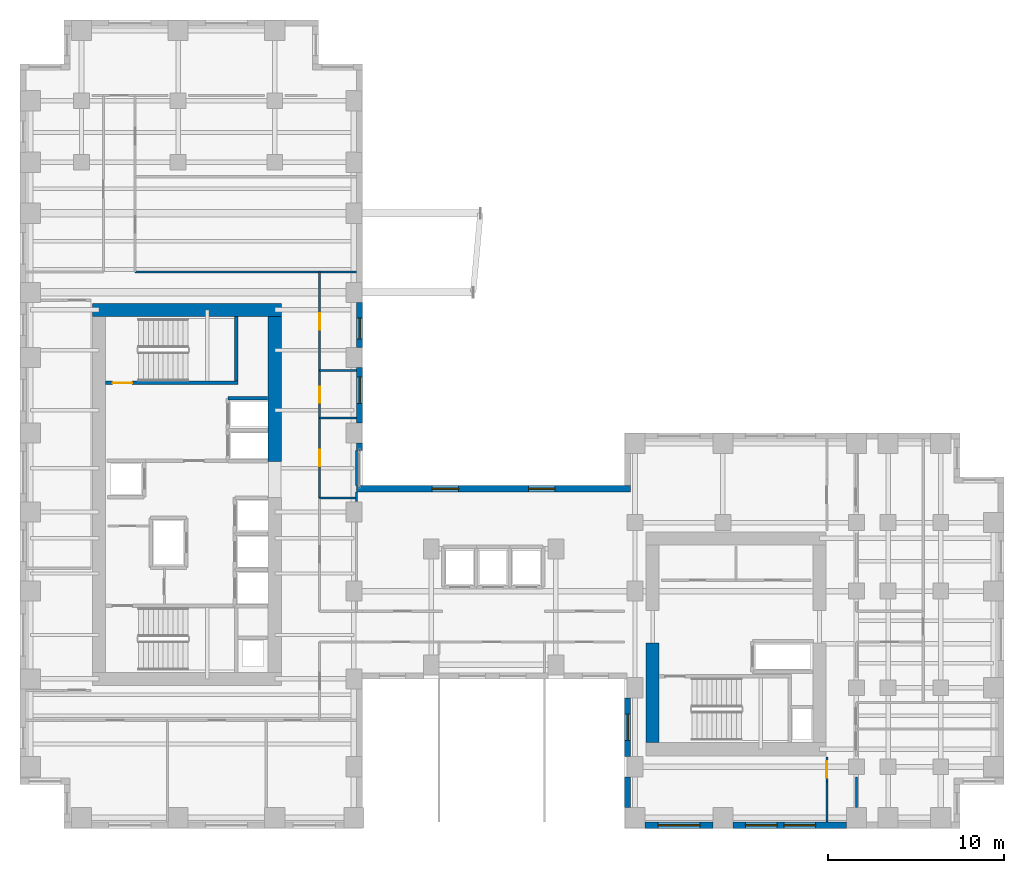
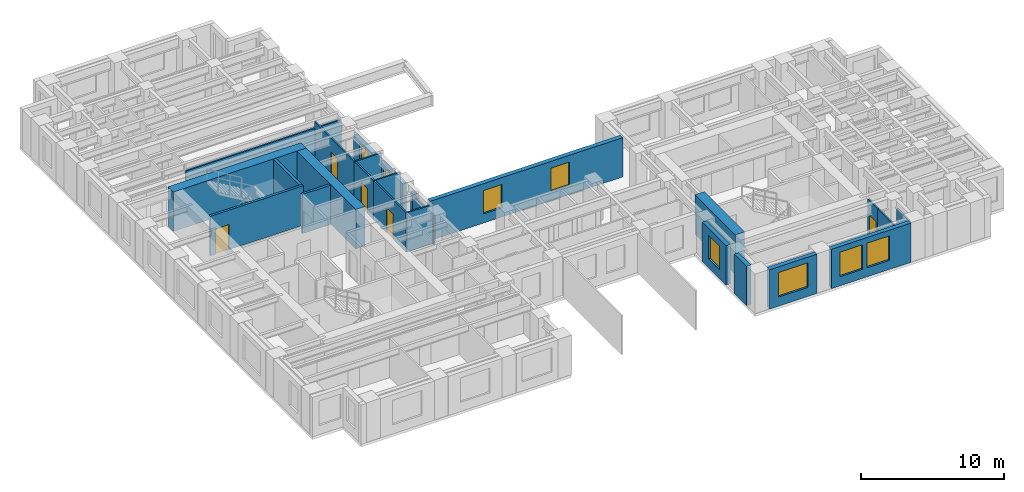
# One storey, part 8 of 13: 26 walls, 8 windows, 5 doors, 13 openings.
"""IFC4 building model written with IfcOpenShell, lengths in metres."""

from ifc_helpers import new_model, si_unit, direction, frame, frame_2d, origin, place, context, subcontext, project, spatial, rectangle, extrude, source, transform, mapped, material, layer, layer_set, type_object, element, fill, save


model = new_model("IFC4")

# Units and contexts
model_context = context("Model", 3, precision=1e-05, world=origin(), true_north=direction((0.0, 1.0)))
body_context = subcontext(model_context, "Body", "Model", "MODEL_VIEW")
ifc_project = project(units=[si_unit("LENGTHUNIT", "METRE"), si_unit("AREAUNIT", "SQUARE_METRE"), si_unit("VOLUMEUNIT", "CUBIC_METRE"), si_unit("PLANEANGLEUNIT", "RADIAN"), si_unit("MASSUNIT", "GRAM", prefix="KILO")], contexts=[model_context])

# Site, building, storey
site_placement = place(None, origin())
site = spatial("IfcSite", under=ifc_project, at=site_placement, CompositionType="ELEMENT")
building_placement = place(site_placement, origin())
building = spatial("IfcBuilding", under=site, at=building_placement, Name="Kharzan Plaza Tower", CompositionType="ELEMENT")
storey_placement = place(building_placement, frame((0.0, 0.0, 95.39990234375)))
storey = spatial("IfcBuildingStorey", under=building, at=storey_placement, Name="L25", CompositionType="ELEMENT", Elevation=95.39990234375)

# Wall, opening, window
ifc_material_1 = material(Name="Concrete C40/50", Category="concrete")
ifc_layer_1 = layer(ifc_material_1, 0.35009765625)
ifc_layer_set_1 = layer_set([ifc_layer_1], Name="Concrete C40/50")
wall_type_1 = type_object("IfcWallType", Name="WL-EXT-MAS-Z2", PredefinedType="SOLIDWALL", material=ifc_layer_set_1)
wall_1_placement = place(storey_placement, frame((19.324951171875, 23.072998046875, 0.0), z_axis=(0.0, 0.0, 1.0), x_axis=(0.0, 1.0, 0.0)))
wall_1 = element("IfcWall", 1, at=wall_1_placement, inside=storey, type_object=wall_type_1, Name="L25 Masonry-Frame Exterior Wall 02", PredefinedType="SOLIDWALL", context=body_context, shape_type="SweptSolid", body=[
    extrude(rectangle(XDim=3.154052734375, YDim=0.35009765625, at=frame_2d((1.5771484375, 0.0))), origin(), (0.0, 0.0, 1.0), 2.51904296875),
])
opening_1_placement = place(wall_1_placement, frame((1.10546875, 0.0, 0.780029296875)))
opening_1 = element("IfcOpeningElement", 2, at=opening_1_placement, cuts=wall_1, Name="Opening W5", PredefinedType="OPENING", context=body_context, shape_type="SweptSolid", body=[
    extrude(rectangle(XDim=1.5, YDim=1.55908203125, at=frame_2d((0.75, 0.779541015625))), frame((0.0, 0.18505859375, 0.0), z_axis=(0.0, -1.0, 0.0), x_axis=(1.0, 0.0, 0.0)), (0.0, 0.0, 1.0), 0.3701171875),
])
ifc_material_2 = material(Name="Low-E Double Glazing", Category="glass")
window_type_1 = type_object("IfcWindowType", Name="WN-SLT-1500x2000", PartitioningType="SINGLE_PANEL", PredefinedType="WINDOW", material=ifc_material_2)
shared_shape_1 = source(origin(), body_context, "Body", "SweptSolid", [
    extrude(rectangle(XDim=1.5, YDim=1.55908203125, at=frame_2d((0.75, 0.779541015625))), frame((0.0, 0.030029296875, 0.0), z_axis=(0.0, -1.0, 0.0), x_axis=(1.0, 0.0, 0.0)), (0.0, 0.0, 1.0), 0.06005859375),
])
window_1_placement = place(opening_1_placement, origin())
window_1 = element("IfcWindow", 3, at=window_1_placement, inside=storey, type_object=window_type_1, Name="L25 Recessed Solar-Control Window 02-1", OverallHeight=1.55908203125, OverallWidth=1.5, PartitioningType="SINGLE_PANEL", PredefinedType="WINDOW", context=body_context, shape_type="MappedRepresentation", body=[
    mapped(shared_shape_1, transform((0.0, 0.0, 0.0), x_axis=(1.0, 0.0, 0.0), y_axis=(0.0, 1.0, 0.0), z_axis=(0.0, 0.0, 1.0))),
])
fill(opening_1, window_1)

wall_2_placement = place(storey_placement, frame((19.324951171875, 27.373046875, 0.0), z_axis=(0.0, 0.0, 1.0), x_axis=(0.0, 1.0, 0.0)))
wall_2 = element("IfcWall", 4, at=wall_2_placement, inside=storey, type_object=wall_type_1, Name="L25 Masonry-Frame Exterior Wall 03", PredefinedType="SOLIDWALL", context=body_context, shape_type="SweptSolid", body=[
    extrude(rectangle(XDim=2.553955078125, YDim=0.35009765625, at=frame_2d((1.27685546875, 0.0))), origin(), (0.0, 0.0, 1.0), 2.51904296875),
])
opening_2_placement = place(wall_2_placement, frame((0.47998046875, 0.0, 0.780029296875)))
opening_2 = element("IfcOpeningElement", 5, at=opening_2_placement, cuts=wall_2, Name="Opening W3", PredefinedType="OPENING", context=body_context, shape_type="SweptSolid", body=[
    extrude(rectangle(XDim=1.199951171875, YDim=1.55908203125, at=frame_2d((0.60009765625, 0.779541015625))), frame((0.0, 0.18505859375, 0.0), z_axis=(0.0, -1.0, 0.0), x_axis=(1.0, 0.0, 0.0)), (0.0, 0.0, 1.0), 0.3701171875),
])
window_type_2 = type_object("IfcWindowType", Name="WN-REC-1200x2100", PartitioningType="SINGLE_PANEL", PredefinedType="WINDOW", material=ifc_material_2)
shared_shape_2 = source(origin(), body_context, "Body", "SweptSolid", [
    extrude(rectangle(XDim=1.199951171875, YDim=1.55908203125, at=frame_2d((0.60009765625, 0.779541015625))), frame((0.0, 0.030029296875, 0.0), z_axis=(0.0, -1.0, 0.0), x_axis=(1.0, 0.0, 0.0)), (0.0, 0.0, 1.0), 0.06005859375),
])
window_2_placement = place(opening_2_placement, origin())
window_2 = element("IfcWindow", 6, at=window_2_placement, inside=storey, type_object=window_type_2, Name="L25 Recessed Solar-Control Window 03-1", OverallHeight=1.55908203125, OverallWidth=1.199951171875, PartitioningType="SINGLE_PANEL", PredefinedType="WINDOW", context=body_context, shape_type="MappedRepresentation", body=[
    mapped(shared_shape_2, transform((0.0, 0.0, 0.0), x_axis=(1.0, 0.0, 0.0), y_axis=(0.0, 1.0, 0.0), z_axis=(0.0, 0.0, 1.0))),
])
fill(opening_2, window_2)

wall_3_placement = place(storey_placement, frame((34.574951171875, 7.427001953125, 0.0), z_axis=(0.0, 0.0, 1.0), x_axis=(0.0, -1.0, 0.0)))
wall_3 = element("IfcWall", 7, at=wall_3_placement, inside=storey, type_object=wall_type_1, Name="L25 Masonry-Frame Exterior Wall 37", PredefinedType="SOLIDWALL", context=body_context, shape_type="SweptSolid", body=[
    extrude(rectangle(XDim=3.35400390625, YDim=0.35009765625, at=frame_2d((1.677001953125, 0.0))), origin(), (0.0, 0.0, 1.0), 3.364990234375),
])
opening_3_placement = place(wall_3_placement, frame((0.927001953125, 0.0, 0.780029296875)))
opening_3 = element("IfcOpeningElement", 8, at=opening_3_placement, cuts=wall_3, Name="Opening W5", PredefinedType="OPENING", context=body_context, shape_type="SweptSolid", body=[
    extrude(rectangle(XDim=1.5, YDim=2.0, at=frame_2d((0.75, 1.0))), frame((0.0, 0.18505859375, 0.0), z_axis=(0.0, -1.0, 0.0), x_axis=(1.0, 0.0, 0.0)), (0.0, 0.0, 1.0), 0.3701171875),
])
shared_shape_3 = source(origin(), body_context, "Body", "SweptSolid", [
    extrude(rectangle(XDim=1.5, YDim=2.0, at=frame_2d((0.75, 1.0))), frame((0.0, 0.030029296875, 0.0), z_axis=(0.0, -1.0, 0.0), x_axis=(1.0, 0.0, 0.0)), (0.0, 0.0, 1.0), 0.06005859375),
])
window_3_placement = place(opening_3_placement, origin())
window_3 = element("IfcWindow", 9, at=window_3_placement, inside=storey, type_object=window_type_1, Name="L25 Recessed Solar-Control Window 37-1", OverallHeight=2.0, OverallWidth=1.5, PartitioningType="SINGLE_PANEL", PredefinedType="WINDOW", context=body_context, shape_type="MappedRepresentation", body=[
    mapped(shared_shape_3, transform((0.0, 0.0, 0.0), x_axis=(1.0, 0.0, 0.0), y_axis=(0.0, 1.0, 0.0), z_axis=(0.0, 0.0, 1.0))),
])
fill(opening_3, window_3)

wall_4_placement = place(storey_placement, frame((35.572998046875, 0.175048828125, 0.0), z_axis=(0.0, 0.0, 1.0), x_axis=(1.0, 0.0, 0.0)))
wall_4 = element("IfcWall", 10, at=wall_4_placement, inside=storey, type_object=wall_type_1, Name="L25 Masonry-Frame Exterior Wall 39", PredefinedType="SOLIDWALL", context=body_context, shape_type="SweptSolid", body=[
    extrude(rectangle(XDim=3.85400390625, YDim=0.35009765625, at=frame_2d((1.927001953125, 0.0))), origin(), (0.0, 0.0, 1.0), 3.364990234375),
])
opening_4_placement = place(wall_4_placement, frame((0.72705078125, 0.0, 0.780029296875)))
opening_4 = element("IfcOpeningElement", 11, at=opening_4_placement, cuts=wall_4, Name="Opening W2", PredefinedType="OPENING", context=body_context, shape_type="SweptSolid", body=[
    extrude(rectangle(XDim=2.39990234375, YDim=2.10009765625, at=frame_2d((1.199951171875, 1.050048828125))), frame((0.0, 0.18505859375, 0.0), z_axis=(0.0, -1.0, 0.0), x_axis=(1.0, 0.0, 0.0)), (0.0, 0.0, 1.0), 0.3701171875),
])
window_type_3 = type_object("IfcWindowType", Name="WN-REC-2400x2100", PartitioningType="SINGLE_PANEL", PredefinedType="WINDOW", material=ifc_material_2)
shared_shape_4 = source(origin(), body_context, "Body", "SweptSolid", [
    extrude(rectangle(XDim=2.39990234375, YDim=2.10009765625, at=frame_2d((1.199951171875, 1.050048828125))), frame((0.0, 0.030029296875, 0.0), z_axis=(0.0, -1.0, 0.0), x_axis=(1.0, 0.0, 0.0)), (0.0, 0.0, 1.0), 0.06005859375),
])
window_4_placement = place(opening_4_placement, origin())
window_4 = element("IfcWindow", 12, at=window_4_placement, inside=storey, type_object=window_type_3, Name="L25 Wide Recessed Solar-Control Window 39-1", OverallHeight=2.10009765625, OverallWidth=2.39990234375, PartitioningType="SINGLE_PANEL", PredefinedType="WINDOW", context=body_context, shape_type="MappedRepresentation", body=[
    mapped(shared_shape_4, transform((0.0, 0.0, 0.0), x_axis=(1.0, 0.0, 0.0), y_axis=(0.0, 1.0, 0.0), z_axis=(0.0, 0.0, 1.0))),
])
fill(opening_4, window_4)

# Wall, openings, windows
wall_5_placement = place(storey_placement, frame((40.572998046875, 0.175048828125, 0.0), z_axis=(0.0, 0.0, 1.0), x_axis=(1.0, 0.0, 0.0)))
wall_5 = element("IfcWall", 13, at=wall_5_placement, inside=storey, type_object=wall_type_1, Name="L25 Masonry-Frame Exterior Wall 40", PredefinedType="SOLIDWALL", context=body_context, shape_type="SweptSolid", body=[
    extrude(rectangle(XDim=6.4541015625, YDim=0.35009765625, at=frame_2d((3.22705078125, 0.0))), origin(), (0.0, 0.0, 1.0), 3.364990234375),
])
opening_5_placement = place(wall_5_placement, frame((0.71240234375, 0.0, 0.780029296875)))
opening_5 = element("IfcOpeningElement", 14, at=opening_5_placement, cuts=wall_5, Name="Opening W1", PredefinedType="OPENING", context=body_context, shape_type="SweptSolid", body=[
    extrude(rectangle(XDim=1.800048828125, YDim=2.10009765625, at=frame_2d((0.89990234375, 1.050048828125))), frame((0.0, 0.18505859375, 0.0), z_axis=(0.0, -1.0, 0.0), x_axis=(1.0, 0.0, 0.0)), (0.0, 0.0, 1.0), 0.3701171875),
])
opening_6_placement = place(wall_5_placement, frame((2.90478515625, 0.0, 0.780029296875)))
opening_6 = element("IfcOpeningElement", 15, at=opening_6_placement, cuts=wall_5, Name="Opening W1", PredefinedType="OPENING", context=body_context, shape_type="SweptSolid", body=[
    extrude(rectangle(XDim=1.800048828125, YDim=2.10009765625, at=frame_2d((0.89990234375, 1.050048828125))), frame((0.0, 0.18505859375, 0.0), z_axis=(0.0, -1.0, 0.0), x_axis=(1.0, 0.0, 0.0)), (0.0, 0.0, 1.0), 0.3701171875),
])
window_type_4 = type_object("IfcWindowType", Name="WN-REC-1800x2100", PartitioningType="SINGLE_PANEL", PredefinedType="WINDOW", material=ifc_material_2)
shared_shape_5 = source(origin(), body_context, "Body", "SweptSolid", [
    extrude(rectangle(XDim=1.800048828125, YDim=2.10009765625, at=frame_2d((0.89990234375, 1.050048828125))), frame((0.0, 0.030029296875, 0.0), z_axis=(0.0, -1.0, 0.0), x_axis=(1.0, 0.0, 0.0)), (0.0, 0.0, 1.0), 0.06005859375),
])
window_5_placement = place(opening_5_placement, origin())
window_5 = element("IfcWindow", 16, at=window_5_placement, inside=storey, type_object=window_type_4, Name="L25 Recessed Solar-Control Window 40-1", OverallHeight=2.10009765625, OverallWidth=1.800048828125, PartitioningType="SINGLE_PANEL", PredefinedType="WINDOW", context=body_context, shape_type="MappedRepresentation", body=[
    mapped(shared_shape_5, transform((0.0, 0.0, 0.0), x_axis=(1.0, 0.0, 0.0), y_axis=(0.0, 1.0, 0.0), z_axis=(0.0, 0.0, 1.0))),
])
fill(opening_5, window_5)
window_6_placement = place(opening_6_placement, origin())
window_6 = element("IfcWindow", 17, at=window_6_placement, inside=storey, type_object=window_type_4, Name="L25 Recessed Solar-Control Window 40-2", OverallHeight=2.10009765625, OverallWidth=1.800048828125, PartitioningType="SINGLE_PANEL", PredefinedType="WINDOW", context=body_context, shape_type="MappedRepresentation", body=[
    mapped(shared_shape_5, transform((0.0, 0.0, 0.0), x_axis=(1.0, 0.0, 0.0), y_axis=(0.0, 1.0, 0.0), z_axis=(0.0, 0.0, 1.0))),
])
fill(opening_6, window_6)

wall_6_placement = place(storey_placement, frame((34.75, 19.324951171875, 0.0), z_axis=(0.0, 0.0, 1.0), x_axis=(-1.0, 0.0, 0.0)))
wall_6 = element("IfcWall", 18, at=wall_6_placement, inside=storey, type_object=wall_type_1, Name="L25 Masonry-Frame Exterior Wall 58", PredefinedType="SOLIDWALL", context=body_context, shape_type="SweptSolid", body=[
    extrude(rectangle(XDim=15.60009765625, YDim=0.35009765625, at=frame_2d((7.800048828125, 0.0))), origin(), (0.0, 0.0, 1.0), 3.364990234375),
])
opening_7_placement = place(wall_6_placement, frame((4.306640625, 0.0, 0.780029296875)))
opening_7 = element("IfcOpeningElement", 19, at=opening_7_placement, cuts=wall_6, Name="Opening W5", PredefinedType="OPENING", context=body_context, shape_type="SweptSolid", body=[
    extrude(rectangle(XDim=1.5, YDim=2.0, at=frame_2d((0.75, 1.0))), frame((0.0, 0.18505859375, 0.0), z_axis=(0.0, -1.0, 0.0), x_axis=(1.0, 0.0, 0.0)), (0.0, 0.0, 1.0), 0.3701171875),
])
opening_8_placement = place(wall_6_placement, frame((9.793212890625, 0.0, 0.780029296875)))
opening_8 = element("IfcOpeningElement", 20, at=opening_8_placement, cuts=wall_6, Name="Opening W5", PredefinedType="OPENING", context=body_context, shape_type="SweptSolid", body=[
    extrude(rectangle(XDim=1.5, YDim=2.0, at=frame_2d((0.75, 1.0))), frame((0.0, 0.18505859375, 0.0), z_axis=(0.0, -1.0, 0.0), x_axis=(1.0, 0.0, 0.0)), (0.0, 0.0, 1.0), 0.3701171875),
])
window_7_placement = place(opening_7_placement, origin())
window_7 = element("IfcWindow", 21, at=window_7_placement, inside=storey, type_object=window_type_1, Name="L25 Recessed Solar-Control Window 58-1", OverallHeight=2.0, OverallWidth=1.5, PartitioningType="SINGLE_PANEL", PredefinedType="WINDOW", context=body_context, shape_type="MappedRepresentation", body=[
    mapped(shared_shape_3, transform((0.0, 0.0, 0.0), x_axis=(1.0, 0.0, 0.0), y_axis=(0.0, 1.0, 0.0), z_axis=(0.0, 0.0, 1.0))),
])
fill(opening_7, window_7)
window_8_placement = place(opening_8_placement, origin())
window_8 = element("IfcWindow", 22, at=window_8_placement, inside=storey, type_object=window_type_1, Name="L25 Recessed Solar-Control Window 58-2", OverallHeight=2.0, OverallWidth=1.5, PartitioningType="SINGLE_PANEL", PredefinedType="WINDOW", context=body_context, shape_type="MappedRepresentation", body=[
    mapped(shared_shape_3, transform((0.0, 0.0, 0.0), x_axis=(1.0, 0.0, 0.0), y_axis=(0.0, 1.0, 0.0), z_axis=(0.0, 0.0, 1.0))),
])
fill(opening_8, window_8)

# Wall, opening, door
ifc_material_3 = material(Name="Fire-Rated Gypsum Board Partition", Category="gypsum")
ifc_layer_2 = layer(ifc_material_3, 0.125)
ifc_layer_set_2 = layer_set([ifc_layer_2], Name="Fire-Rated Gypsum Board Partition")
wall_type_2 = type_object("IfcWallType", Name="WL-INT-PART-125", PredefinedType="PARTITIONING", material=ifc_layer_set_2)
wall_7_placement = place(storey_placement, frame((17.050048828125, 18.800048828125, 0.0), z_axis=(0.0, 0.0, 1.0), x_axis=(0.0, 1.0, 0.0)))
wall_7 = element("IfcWall", 23, at=wall_7_placement, inside=storey, type_object=wall_type_2, Name="L25 Interior Partition SH-AEWN2", PredefinedType="PARTITIONING", context=body_context, shape_type="SweptSolid", body=[
    extrude(rectangle(XDim=4.550048828125, YDim=0.125, at=frame_2d((2.27490234375, 0.0))), origin(), (0.0, 0.0, 1.0), 3.364990234375),
])
opening_9_placement = place(wall_7_placement, frame((1.800048828125, 0.0, 0.0)))
opening_9 = element("IfcOpeningElement", 24, at=opening_9_placement, cuts=wall_7, Name="Opening OD1", PredefinedType="OPENING", context=body_context, shape_type="SweptSolid", body=[
    extrude(rectangle(XDim=0.949951171875, YDim=2.14990234375, at=frame_2d((0.47509765625, 1.074951171875))), frame((0.0, 0.072509765625, 0.0), z_axis=(0.0, -1.0, 0.0), x_axis=(1.0, 0.0, 0.0)), (0.0, 0.0, 1.0), 0.14501953125),
])
ifc_material_4 = material(Name="Acoustic Solid-Core Stained Oak", Category="timber")
door_type_1 = type_object("IfcDoorType", Name="DR-OFF-SINGLE", OperationType="NOTDEFINED", PredefinedType="DOOR", material=ifc_material_4)
shared_shape_6 = source(origin(), body_context, "Body", "SweptSolid", [
    extrude(rectangle(XDim=0.949951171875, YDim=2.14990234375, at=frame_2d((0.47509765625, 1.074951171875))), frame((0.0, 0.02490234375, 0.0), z_axis=(0.0, -1.0, 0.0), x_axis=(1.0, 0.0, 0.0)), (0.0, 0.0, 1.0), 0.050048828125),
])
door_1_placement = place(opening_9_placement, origin())
door_1 = element("IfcDoor", 25, at=door_1_placement, inside=storey, type_object=door_type_1, Name="L25 Slot Studio Door", OperationType="SINGLE_SWING_LEFT", OverallHeight=2.14990234375, OverallWidth=0.949951171875, PredefinedType="DOOR", context=body_context, shape_type="MappedRepresentation", body=[
    mapped(shared_shape_6, transform((0.0, 0.0, 0.0), x_axis=(1.0, 0.0, 0.0), y_axis=(0.0, 1.0, 0.0), z_axis=(0.0, 0.0, 1.0))),
])
fill(opening_9, door_1)

wall_8_placement = place(storey_placement, frame((17.050048828125, 26.050048828125, 0.0), z_axis=(0.0, 0.0, 1.0), x_axis=(0.0, 1.0, 0.0)))
wall_8 = element("IfcWall", 26, at=wall_8_placement, inside=storey, type_object=wall_type_2, Name="L25 Interior Partition SH-AEWN3", PredefinedType="PARTITIONING", context=body_context, shape_type="SweptSolid", body=[
    extrude(rectangle(XDim=5.599853515625, YDim=0.125, at=frame_2d((2.7998046875, 0.0))), origin(), (0.0, 0.0, 1.0), 3.364990234375),
])
opening_10_placement = place(wall_8_placement, frame((2.324951171875, 0.0, 0.0)))
opening_10 = element("IfcOpeningElement", 27, at=opening_10_placement, cuts=wall_8, Name="Opening OD1", PredefinedType="OPENING", context=body_context, shape_type="SweptSolid", body=[
    extrude(rectangle(XDim=0.949951171875, YDim=2.14990234375, at=frame_2d((0.47509765625, 1.074951171875))), frame((0.0, 0.072509765625, 0.0), z_axis=(0.0, -1.0, 0.0), x_axis=(1.0, 0.0, 0.0)), (0.0, 0.0, 1.0), 0.14501953125),
])
door_2_placement = place(opening_10_placement, origin())
door_2 = element("IfcDoor", 28, at=door_2_placement, inside=storey, type_object=door_type_1, Name="L25 Staff Tea Point Door", OperationType="SINGLE_SWING_LEFT", OverallHeight=2.14990234375, OverallWidth=0.949951171875, PredefinedType="DOOR", context=body_context, shape_type="MappedRepresentation", body=[
    mapped(shared_shape_6, transform((0.0, 0.0, 0.0), x_axis=(1.0, 0.0, 0.0), y_axis=(0.0, 1.0, 0.0), z_axis=(0.0, 0.0, 1.0))),
])
fill(opening_10, door_2)

wall_9_placement = place(storey_placement, frame((17.050048828125, 23.35009765625, 0.0), z_axis=(0.0, 0.0, 1.0), x_axis=(0.0, 1.0, 0.0)))
wall_9 = element("IfcWall", 29, at=wall_9_placement, inside=storey, type_object=wall_type_2, Name="L25 Interior Partition SH-AEWW", PredefinedType="PARTITIONING", context=body_context, shape_type="SweptSolid", body=[
    extrude(rectangle(XDim=2.699951171875, YDim=0.125, at=frame_2d((1.35009765625, 0.0))), origin(), (0.0, 0.0, 1.0), 3.364990234375),
])
opening_11_placement = place(wall_9_placement, frame((0.875, 0.0, 0.0)))
opening_11 = element("IfcOpeningElement", 30, at=opening_11_placement, cuts=wall_9, Name="Opening WD1", PredefinedType="OPENING", context=body_context, shape_type="SweptSolid", body=[
    extrude(rectangle(XDim=0.89990234375, YDim=2.14990234375, at=frame_2d((0.449951171875, 1.074951171875))), frame((0.0, 0.072509765625, 0.0), z_axis=(0.0, -1.0, 0.0), x_axis=(1.0, 0.0, 0.0)), (0.0, 0.0, 1.0), 0.14501953125),
])
ifc_material_5 = material(Name="Moisture-Resistant Fire-Rated Laminate", Category="timber")
door_type_2 = type_object("IfcDoorType", Name="DR-WC-900", OperationType="NOTDEFINED", PredefinedType="DOOR", material=ifc_material_5)
shared_shape_7 = source(origin(), body_context, "Body", "SweptSolid", [
    extrude(rectangle(XDim=0.89990234375, YDim=2.14990234375, at=frame_2d((0.449951171875, 1.074951171875))), frame((0.0, 0.02490234375, 0.0), z_axis=(0.0, -1.0, 0.0), x_axis=(1.0, 0.0, 0.0)), (0.0, 0.0, 1.0), 0.050048828125),
])
door_3_placement = place(opening_11_placement, origin())
door_3 = element("IfcDoor", 31, at=door_3_placement, inside=storey, type_object=door_type_2, Name="L25 Wing A Washroom Door", OperationType="SINGLE_SWING_RIGHT", OverallHeight=2.14990234375, OverallWidth=0.89990234375, PredefinedType="DOOR", context=body_context, shape_type="MappedRepresentation", body=[
    mapped(shared_shape_7, transform((0.0, 0.0, 0.0), x_axis=(1.0, 0.0, 0.0), y_axis=(0.0, 1.0, 0.0), z_axis=(0.0, 0.0, 1.0))),
])
fill(opening_11, door_3)

wall_10_placement = place(storey_placement, frame((45.919921875, 2.64990234375, 0.0), z_axis=(0.0, 0.0, 1.0), x_axis=(0.0, 1.0, 0.0)))
wall_10 = element("IfcWall", 32, at=wall_10_placement, inside=storey, type_object=wall_type_2, Name="L25 Interior Partition SH-RBSE", PredefinedType="PARTITIONING", context=body_context, shape_type="SweptSolid", body=[
    extrude(rectangle(XDim=1.400146484375, YDim=0.125, at=frame_2d((0.7001953125, 0.0))), origin(), (0.0, 0.0, 1.0), 3.364990234375),
])
opening_12_placement = place(wall_10_placement, frame((0.22509765625, 0.0, 0.0)))
opening_12 = element("IfcOpeningElement", 33, at=opening_12_placement, cuts=wall_10, Name="Opening OD1", PredefinedType="OPENING", context=body_context, shape_type="SweptSolid", body=[
    extrude(rectangle(XDim=0.949951171875, YDim=2.14990234375, at=frame_2d((0.47509765625, 1.074951171875))), frame((0.0, 0.072509765625, 0.0), z_axis=(0.0, -1.0, 0.0), x_axis=(1.0, 0.0, 0.0)), (0.0, 0.0, 1.0), 0.14501953125),
])
door_4_placement = place(opening_12_placement, origin())
door_4 = element("IfcDoor", 34, at=door_4_placement, inside=storey, type_object=door_type_1, Name="L25 South-East Corner Office Door", OperationType="SINGLE_SWING_LEFT", OverallHeight=2.14990234375, OverallWidth=0.949951171875, PredefinedType="DOOR", context=body_context, shape_type="MappedRepresentation", body=[
    mapped(shared_shape_6, transform((0.0, 0.0, 0.0), x_axis=(1.0, 0.0, 0.0), y_axis=(0.0, 1.0, 0.0), z_axis=(0.0, 0.0, 1.0))),
])
fill(opening_12, door_4)

ifc_material_6 = material(Name="Concrete C50/60", Category="concrete")
ifc_layer_3 = layer(ifc_material_6, 0.199951171875)
ifc_layer_set_3 = layer_set([ifc_layer_3], Name="Concrete C50/60")
wall_type_3 = type_object("IfcWallType", Name="WL-SHAFT-RC200", PredefinedType="SHEAR", material=ifc_layer_set_3)
wall_11_placement = place(storey_placement, frame((4.876953125, 25.344970703125, 0.0), z_axis=(0.0, 0.0, 1.0), x_axis=(1.0, 0.0, 0.0)))
wall_11 = element("IfcWall", 35, at=wall_11_placement, inside=storey, type_object=wall_type_3, Name="L25 Stair ST-2 South RC Shaft Wall", PredefinedType="SHEAR", context=body_context, shape_type="SweptSolid", body=[
    extrude(rectangle(XDim=7.528076171875, YDim=0.199951171875, at=frame_2d((3.76416015625, 0.0))), origin(), (0.0, 0.0, 1.0), 3.380126953125),
])
opening_13_placement = place(wall_11_placement, frame((0.39990234375, 0.0, 0.0)))
opening_13 = element("IfcOpeningElement", 36, at=opening_13_placement, cuts=wall_11, Name="Opening SD1", PredefinedType="OPENING", context=body_context, shape_type="SweptSolid", body=[
    extrude(rectangle(XDim=1.10009765625, YDim=2.14990234375, at=frame_2d((0.550048828125, 1.074951171875))), frame((0.0, 0.10986328125, 0.0), z_axis=(0.0, -1.0, 0.0), x_axis=(1.0, 0.0, 0.0)), (0.0, 0.0, 1.0), 0.219970703125),
])
ifc_material_7 = material(Name="Fire-Rated Hollow Galvanized Steel", Category="steel")
door_type_3 = type_object("IfcDoorType", Name="DR-STAIR-FD120", OperationType="NOTDEFINED", PredefinedType="DOOR", material=ifc_material_7)
shared_shape_8 = source(origin(), body_context, "Body", "SweptSolid", [
    extrude(rectangle(XDim=1.10009765625, YDim=2.14990234375, at=frame_2d((0.550048828125, 1.074951171875))), frame((0.0, 0.02490234375, 0.0), z_axis=(0.0, -1.0, 0.0), x_axis=(1.0, 0.0, 0.0)), (0.0, 0.0, 1.0), 0.050048828125),
])
door_5_placement = place(opening_13_placement, origin())
door_5 = element("IfcDoor", 37, at=door_5_placement, inside=storey, type_object=door_type_3, Name="L25 Stair ST-2 Fire Exit Door", OperationType="SINGLE_SWING_LEFT", OverallHeight=2.14990234375, OverallWidth=1.10009765625, PredefinedType="DOOR", context=body_context, shape_type="MappedRepresentation", body=[
    mapped(shared_shape_8, transform((0.0, 0.0, 0.0), x_axis=(1.0, 0.0, 0.0), y_axis=(0.0, 1.0, 0.0), z_axis=(0.0, 0.0, 1.0))),
])
fill(opening_13, door_5)

# Walls
shared_shape_9 = source(origin(), body_context, "Body", "SweptSolid", [
    extrude(rectangle(XDim=2.2978515625, YDim=0.125, at=frame_2d((1.14892578125, 0.0))), origin(), (0.0, 0.0, 1.0), 3.364990234375),
])
wall_12_placement = place(storey_placement, frame((45.919921875, 0.35205078125, 0.0), z_axis=(0.0, 0.0, 1.0), x_axis=(0.0, 1.0, 0.0)))
element("IfcWall", 38, at=wall_12_placement, inside=storey, type_object=wall_type_2, Name="L25 Interior Partition SH-RBSE0", PredefinedType="PARTITIONING", context=body_context, shape_type="MappedRepresentation", body=[
    mapped(shared_shape_9, transform((0.0, 0.0, 0.0), x_axis=(1.0, 0.0, 0.0), y_axis=(0.0, 1.0, 0.0), z_axis=(0.0, 0.0, 1.0))),
])
shared_shape_10 = source(origin(), body_context, "Body", "SweptSolid", [
    extrude(rectangle(XDim=2.097900390625, YDim=0.125, at=frame_2d((1.048828125, 0.0))), origin(), (0.0, 0.0, 1.0), 3.364990234375),
])
for number, where, z_axis, x_axis, name in (
    (39, (17.050048828125, 23.35009765625, 0.0), (0.0, 0.0, 1.0), (1.0, 0.0, 0.0), "L25 Interior Partition SH-AEH-233"),
    (40, (17.050048828125, 26.050048828125, 0.0), (0.0, 0.0, 1.0), (1.0, 0.0, 0.0), "L25 Interior Partition SH-AEH-260"),
):
    element("IfcWall", number, at=place(storey_placement, frame(where, z_axis=z_axis, x_axis=x_axis)), inside=storey, type_object=wall_type_2, Name=name, PredefinedType="PARTITIONING", context=body_context, shape_type="MappedRepresentation", body=[
        mapped(shared_shape_10, transform((0.0, 0.0, 0.0), x_axis=(1.0, 0.0, 0.0), y_axis=(0.0, 1.0, 0.0), z_axis=(0.0, 0.0, 1.0))),
    ])
shared_shape_11 = source(origin(), body_context, "Body", "SweptSolid", [
    extrude(rectangle(XDim=2.099853515625, YDim=0.125, at=frame_2d((1.0498046875, 0.0))), origin(), (0.0, 0.0, 1.0), 3.364990234375),
])
wall_13_placement = place(storey_placement, frame((17.050048828125, 18.800048828125, 0.0), z_axis=(0.0, 0.0, 1.0), x_axis=(1.0, 0.0, 0.0)))
element("IfcWall", 41, at=wall_13_placement, inside=storey, type_object=wall_type_2, Name="L25 Interior Partition SH-AEH-188", PredefinedType="PARTITIONING", context=body_context, shape_type="MappedRepresentation", body=[
    mapped(shared_shape_11, transform((0.0, 0.0, 0.0), x_axis=(1.0, 0.0, 0.0), y_axis=(0.0, 1.0, 0.0), z_axis=(0.0, 0.0, 1.0))),
])
shared_shape_12 = source(origin(), body_context, "Body", "SweptSolid", [
    extrude(rectangle(XDim=12.597900390625, YDim=0.125, at=frame_2d((6.298828125, 0.0))), origin(), (0.0, 0.0, 1.0), 2.828125),
])
wall_14_placement = place(storey_placement, frame((6.550048828125, 31.64990234375, 0.0), z_axis=(0.0, 0.0, 1.0), x_axis=(1.0, 0.0, 0.0)))
element("IfcWall", 42, at=wall_14_placement, inside=storey, type_object=wall_type_2, Name="L25 Interior Partition SH-NNE", PredefinedType="PARTITIONING", context=body_context, shape_type="MappedRepresentation", body=[
    mapped(shared_shape_12, transform((0.0, 0.0, 0.0), x_axis=(1.0, 0.0, 0.0), y_axis=(0.0, 1.0, 0.0), z_axis=(0.0, 0.0, 1.0))),
])
ifc_material_8 = material(Name="Concrete C60/75", Category="concrete")
ifc_layer_4 = layer(ifc_material_8, 0.75)
ifc_layer_set_4 = layer_set([ifc_layer_4], Name="Concrete C60/75")
wall_type_4 = type_object("IfcWallType", Name="WL-CORE-750", PredefinedType="SHEAR", material=ifc_layer_set_4)
shared_shape_13 = source(origin(), body_context, "Body", "SweptSolid", [
    extrude(rectangle(XDim=8.2451171875, YDim=0.75, at=frame_2d((4.12255859375, 0.0))), origin(), (0.0, 0.0, 1.0), 3.380126953125),
])
wall_15_placement = place(storey_placement, frame((14.5, 20.8798828125, 0.0), z_axis=(0.0, 0.0, 1.0), x_axis=(0.0, 1.0, 0.0)))
element("IfcWall", 43, at=wall_15_placement, inside=storey, type_object=wall_type_4, Name="L25 CORE-A east shear pier 2", PredefinedType="SHEAR", context=body_context, shape_type="MappedRepresentation", body=[
    mapped(shared_shape_13, transform((0.0, 0.0, 0.0), x_axis=(1.0, 0.0, 0.0), y_axis=(0.0, 1.0, 0.0), z_axis=(0.0, 0.0, 1.0))),
])
shared_shape_14 = source(origin(), body_context, "Body", "SweptSolid", [
    extrude(rectangle(XDim=10.75, YDim=0.75, at=frame_2d((5.375, 0.0))), origin(), (0.0, 0.0, 1.0), 3.380126953125),
])
wall_16_placement = place(storey_placement, frame((4.125, 29.5, 0.0), z_axis=(0.0, 0.0, 1.0), x_axis=(1.0, 0.0, 0.0)))
element("IfcWall", 44, at=wall_16_placement, inside=storey, type_object=wall_type_4, Name="L25 CORE-A north RC shear wall", PredefinedType="SHEAR", context=body_context, shape_type="MappedRepresentation", body=[
    mapped(shared_shape_14, transform((0.0, 0.0, 0.0), x_axis=(1.0, 0.0, 0.0), y_axis=(0.0, 1.0, 0.0), z_axis=(0.0, 0.0, 1.0))),
])
shared_shape_15 = source(origin(), body_context, "Body", "SweptSolid", [
    extrude(rectangle(XDim=5.675048828125, YDim=0.75, at=frame_2d((2.83740234375, 0.0))), origin(), (0.0, 0.0, 1.0), 3.380126953125),
])
wall_17_placement = place(storey_placement, frame((36.0, 4.875, 0.0), z_axis=(0.0, 0.0, 1.0), x_axis=(0.0, 1.0, 0.0)))
element("IfcWall", 45, at=wall_17_placement, inside=storey, type_object=wall_type_4, Name="L25 CORE-B west shear pier 1", PredefinedType="SHEAR", context=body_context, shape_type="MappedRepresentation", body=[
    mapped(shared_shape_15, transform((0.0, 0.0, 0.0), x_axis=(1.0, 0.0, 0.0), y_axis=(0.0, 1.0, 0.0), z_axis=(0.0, 0.0, 1.0))),
])
shared_shape_16 = source(origin(), body_context, "Body", "SweptSolid", [
    extrude(rectangle(XDim=1.75390625, YDim=0.35009765625, at=frame_2d((0.876953125, 0.0))), origin(), (0.0, 0.0, 1.0), 3.364990234375),
])
wall_18_placement = place(storey_placement, frame((34.574951171875, 2.927001953125, 0.0), z_axis=(0.0, 0.0, 1.0), x_axis=(0.0, -1.0, 0.0)))
element("IfcWall", 46, at=wall_18_placement, inside=storey, type_object=wall_type_1, Name="L25 Masonry-Frame Exterior Wall 38", PredefinedType="SOLIDWALL", context=body_context, shape_type="MappedRepresentation", body=[
    mapped(shared_shape_16, transform((0.0, 0.0, 0.0), x_axis=(1.0, 0.0, 0.0), y_axis=(0.0, 1.0, 0.0), z_axis=(0.0, 0.0, 1.0))),
])
shared_shape_17 = source(origin(), body_context, "Body", "SweptSolid", [
    extrude(rectangle(XDim=1.719970703125, YDim=0.125, at=frame_2d((0.85986328125, 0.0))), origin(), (0.0, 0.0, 1.0), 2.677001953125),
])
wall_19_placement = place(storey_placement, frame((47.60009765625, 1.18994140625, 0.0), z_axis=(0.0, 0.0, 1.0), x_axis=(0.0, 1.0, 0.0)))
element("IfcWall", 47, at=wall_19_placement, inside=storey, type_object=wall_type_2, Name="L25 Interior Partition SH-B2W0S", PredefinedType="PARTITIONING", context=body_context, shape_type="MappedRepresentation", body=[
    mapped(shared_shape_17, transform((0.0, 0.0, 0.0), x_axis=(1.0, 0.0, 0.0), y_axis=(0.0, 1.0, 0.0), z_axis=(0.0, 0.0, 1.0))),
])
ifc_layer_5 = layer(ifc_material_1, 0.199951171875)
ifc_layer_set_5 = layer_set([ifc_layer_5], Name="Concrete C40/50")
wall_type_5 = type_object("IfcWallType", Name="WL-INT-SHAFT-200", PredefinedType="PARTITIONING", material=ifc_layer_set_5)
shared_shape_18 = source(origin(), body_context, "Body", "SweptSolid", [
    extrude(rectangle(XDim=2.264892578125, YDim=0.199951171875, at=frame_2d((1.13232421875, 0.0))), origin(), (0.0, 0.0, 1.0), 3.364990234375),
])
wall_20_placement = place(storey_placement, frame((11.830078125, 24.4599609375, 0.0), z_axis=(0.0, 0.0, 1.0), x_axis=(1.0, 0.0, 0.0)))
element("IfcWall", 48, at=wall_20_placement, inside=storey, type_object=wall_type_5, Name="L25 Interior Partition SHF-FFL-2-N", PredefinedType="PARTITIONING", context=body_context, shape_type="MappedRepresentation", body=[
    mapped(shared_shape_18, transform((0.0, 0.0, 0.0), x_axis=(1.0, 0.0, 0.0), y_axis=(0.0, 1.0, 0.0), z_axis=(0.0, 0.0, 1.0))),
])
shared_shape_19 = source(origin(), body_context, "Body", "SweptSolid", [
    extrude(rectangle(XDim=3.677978515625, YDim=0.199951171875, at=frame_2d((1.8388671875, 0.0))), origin(), (0.0, 0.0, 1.0), 3.380126953125),
])
wall_21_placement = place(storey_placement, frame((12.304931640625, 25.445068359375, 0.0), z_axis=(0.0, 0.0, 1.0), x_axis=(0.0, 1.0, 0.0)))
element("IfcWall", 49, at=wall_21_placement, inside=storey, type_object=wall_type_3, Name="L25 Stair ST-2 East RC Shaft Wall", PredefinedType="SHEAR", context=body_context, shape_type="MappedRepresentation", body=[
    mapped(shared_shape_19, transform((0.0, 0.0, 0.0), x_axis=(1.0, 0.0, 0.0), y_axis=(0.0, 1.0, 0.0), z_axis=(0.0, 0.0, 1.0))),
])
shared_shape_20 = source(origin(), body_context, "Body", "SweptSolid", [
    extrude(rectangle(XDim=0.557861328125, YDim=0.125, at=frame_2d((0.27880859375, 0.0))), origin(), (0.0, 0.0, 1.0), 2.51904296875),
])
wall_22_placement = place(storey_placement, frame((19.14990234375, 18.590087890625, 0.0), z_axis=(0.0, 0.0, 1.0), x_axis=(0.0, 1.0, 0.0)))
element("IfcWall", 50, at=wall_22_placement, inside=storey, type_object=wall_type_2, Name="L25 Interior Partition SH-AEN-DIV-S3", PredefinedType="PARTITIONING", context=body_context, shape_type="MappedRepresentation", body=[
    mapped(shared_shape_20, transform((0.0, 0.0, 0.0), x_axis=(1.0, 0.0, 0.0), y_axis=(0.0, 1.0, 0.0), z_axis=(0.0, 0.0, 1.0))),
])
shared_shape_21 = source(origin(), body_context, "Body", "SweptSolid", [
    extrude(rectangle(XDim=0.427001953125, YDim=0.35009765625, at=frame_2d((0.21337890625, 0.0))), origin(), (0.0, 0.0, 1.0), 2.51904296875),
])
wall_23_placement = place(storey_placement, frame((19.324951171875, 21.5, 0.0), z_axis=(0.0, 0.0, 1.0), x_axis=(0.0, 1.0, 0.0)))
element("IfcWall", 51, at=wall_23_placement, inside=storey, type_object=wall_type_1, Name="L25 Masonry-Frame Exterior Wall 01", PredefinedType="SOLIDWALL", context=body_context, shape_type="MappedRepresentation", body=[
    mapped(shared_shape_21, transform((0.0, 0.0, 0.0), x_axis=(1.0, 0.0, 0.0), y_axis=(0.0, 1.0, 0.0), z_axis=(0.0, 0.0, 1.0))),
])
shared_shape_22 = source(origin(), body_context, "Body", "SweptSolid", [
    extrude(rectangle(XDim=1.998046875, YDim=0.125, at=frame_2d((0.9990234375, 0.0))), origin(), (0.0, 0.0, 1.0), 2.51904296875),
])
wall_24_placement = place(storey_placement, frame((19.14990234375, 19.501953125, 0.0), z_axis=(0.0, 0.0, 1.0), x_axis=(0.0, 1.0, 0.0)))
element("IfcWall", 52, at=wall_24_placement, inside=storey, type_object=wall_type_2, Name="L25 Interior Partition SH-AEN-DIV-S4", PredefinedType="PARTITIONING", context=body_context, shape_type="MappedRepresentation", body=[
    mapped(shared_shape_22, transform((0.0, 0.0, 0.0), x_axis=(1.0, 0.0, 0.0), y_axis=(0.0, 1.0, 0.0), z_axis=(0.0, 0.0, 1.0))),
])

save(model, "model.ifc")
